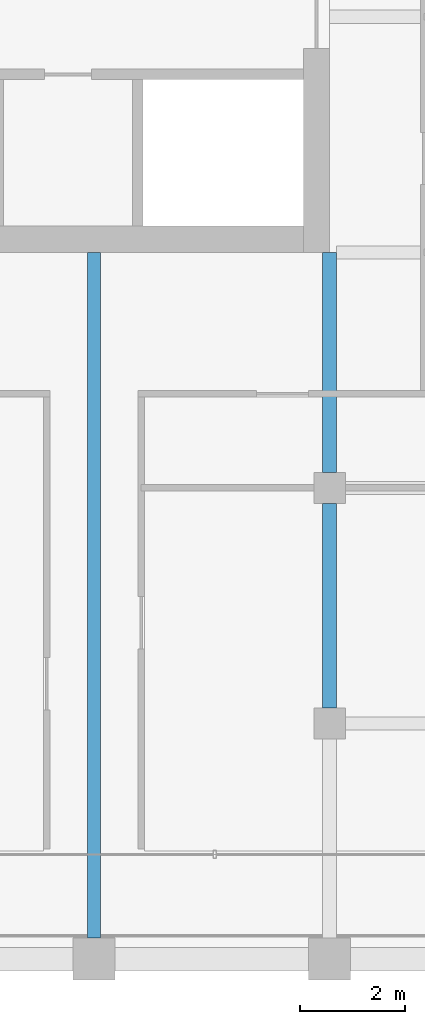
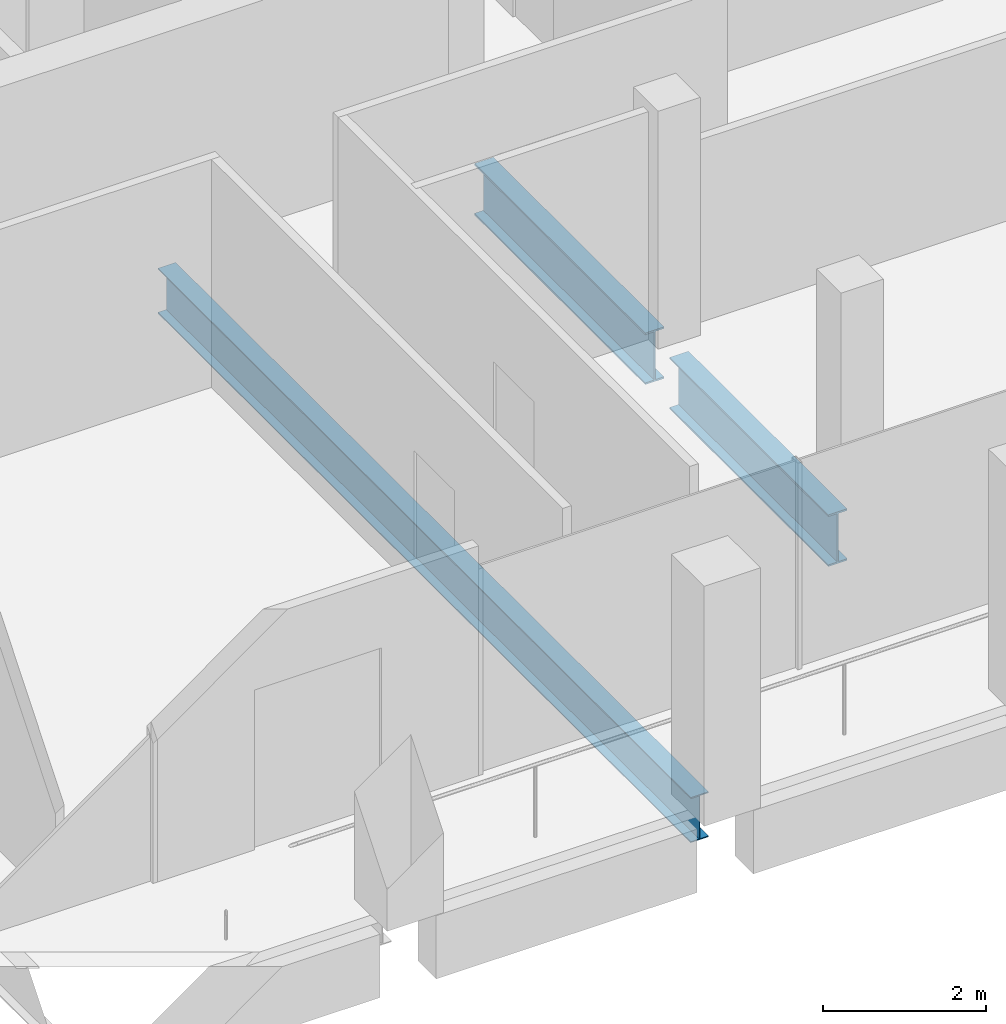
# One storey, part 10 of 41: 3 beams.
"""IFC4 building model written with IfcOpenShell, lengths in metres."""

from ifc_helpers import new_model, si_unit, direction, frame, origin, origin_2d, place, context, subcontext, project, spatial, i_section, extrude, material, material_profile, profile_set, type_object, element, save


model = new_model("IFC4")

# Units and contexts
model_context = context("Model", 3, precision=1e-05, world=origin(), true_north=direction((0.0, 1.0)))
body_context = subcontext(model_context, "Body", "Model", "MODEL_VIEW")
ifc_project = project(units=[si_unit("LENGTHUNIT", "METRE"), si_unit("AREAUNIT", "SQUARE_METRE"), si_unit("VOLUMEUNIT", "CUBIC_METRE"), si_unit("PLANEANGLEUNIT", "RADIAN"), si_unit("MASSUNIT", "GRAM", prefix="KILO")], contexts=[model_context])

# Site, building, storey
site_placement = place(None, origin())
site = spatial("IfcSite", under=ifc_project, at=site_placement, CompositionType="ELEMENT")
building_placement = place(site_placement, origin())
building = spatial("IfcBuilding", under=site, at=building_placement, Name="Altepetl Exchange Towers", CompositionType="ELEMENT")
storey_placement = place(building_placement, frame((0.0, 0.0, 206.39990234375)))
storey = spatial("IfcBuildingStorey", under=building, at=storey_placement, Name="L52", CompositionType="ELEMENT", Elevation=206.39990234375)

# Beams
ifc_material = material(Name="Steel S355", Category="steel")
ifc_material_profile_1 = material_profile(ifc_material, i_section(OverallWidth=0.2529296875, OverallDepth=0.677978515625, WebThickness=0.01171875, FlangeThickness=0.016357421875, at=origin_2d()), Name="W27X84")
ifc_profile_set_1 = profile_set([ifc_material_profile_1], Name="Steel S355")
beam_type_1 = type_object("IfcBeamType", Name="Floor beam W27X84", PredefinedType="BEAM", material=ifc_profile_set_1)
beam_1_placement = place(storey_placement, frame((54.0, 27.39990234375, -0.489013671875), z_axis=(0.0, 1.0, 0.0), x_axis=(-1.0, 0.0, 0.0)))
element("IfcBeam", 1, at=beam_1_placement, inside=storey, type_object=beam_type_1, Name="bm:A:L52:017", PredefinedType="BEAM", context=body_context, shape_type="SweptSolid", body=[
    extrude(i_section(OverallWidth=0.2529296875, OverallDepth=0.677978515625, WebThickness=0.01171875, FlangeThickness=0.016357421875, at=origin_2d()), origin(), (0.0, 0.0, 1.0), 13.10009765625),
])
ifc_material_profile_2 = material_profile(ifc_material, i_section(OverallWidth=0.26806640625, OverallDepth=0.77392578125, WebThickness=0.015380859375, FlangeThickness=0.025390625, at=origin_2d()), Name="W30X132")
ifc_profile_set_2 = profile_set([ifc_material_profile_2], Name="Steel S355")
beam_type_2 = type_object("IfcBeamType", Name="Girder W30X132", PredefinedType="BEAM", material=ifc_profile_set_2)
beam_2_placement = place(storey_placement, frame((58.5, 40.5, -0.536865234375), z_axis=(0.0, -1.0, 0.0), x_axis=(1.0, 0.0, 0.0)))
element("IfcBeam", 2, at=beam_2_placement, inside=storey, type_object=beam_type_2, Name="gd:A:L52:003", PredefinedType="BEAM", context=body_context, shape_type="SweptSolid", body=[
    extrude(i_section(OverallWidth=0.26806640625, OverallDepth=0.77392578125, WebThickness=0.015380859375, FlangeThickness=0.025390625, at=origin_2d()), origin(), (0.0, 0.0, 1.0), 4.199951171875),
])
beam_3_placement = place(storey_placement, frame((58.5, 35.699951171875, -0.536865234375), z_axis=(0.0, -1.0, 0.0), x_axis=(1.0, 0.0, 0.0)))
element("IfcBeam", 3, at=beam_3_placement, inside=storey, type_object=beam_type_2, Name="gd:A:L52:004", PredefinedType="BEAM", context=body_context, shape_type="SweptSolid", body=[
    extrude(i_section(OverallWidth=0.26806640625, OverallDepth=0.77392578125, WebThickness=0.015380859375, FlangeThickness=0.025390625, at=origin_2d()), origin(), (0.0, 0.0, 1.0), 3.89990234375),
])

save(model, "model.ifc")
